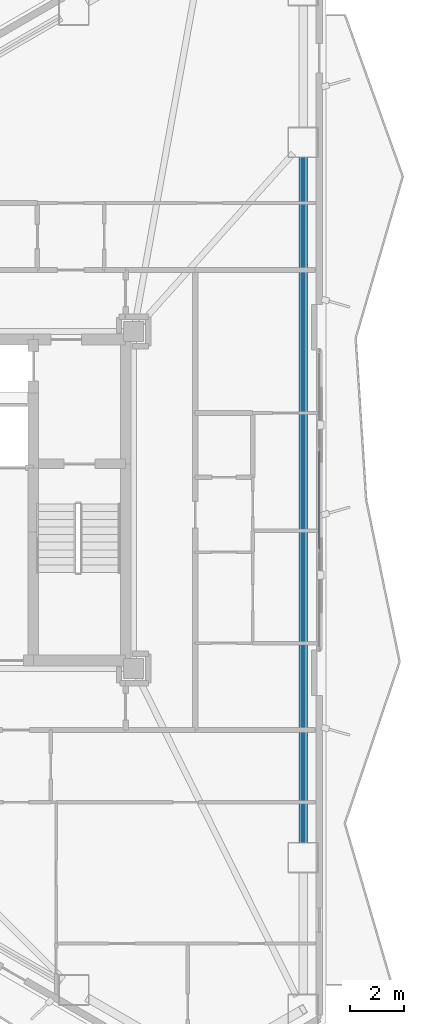
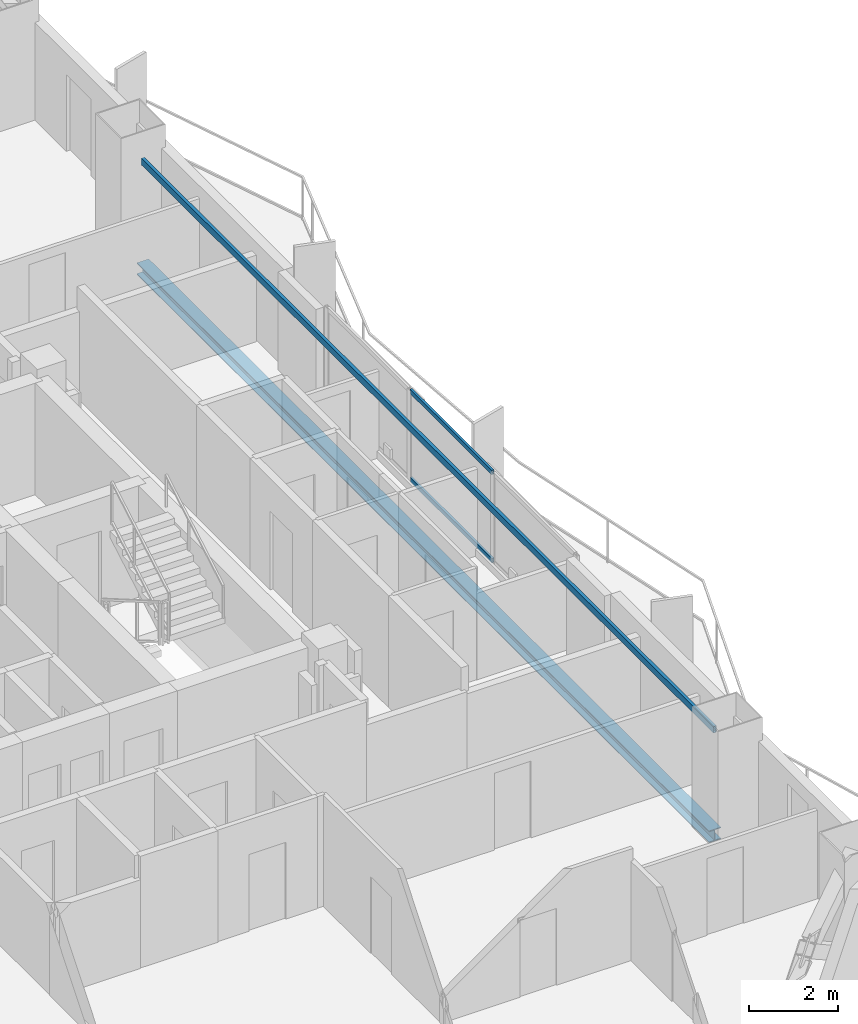
# One storey, part 9 of 22: 2 beams, 2 members, 1 element without a shape of its own.
"""IFC4 building model written with IfcOpenShell, lengths in metres."""

import ifcopenshell
import ifcopenshell.guid

model = None  # the IFC model being written
_history = None  # IfcOwnerHistory: only IFC2X3 demands one
_inside = {}  # id of a spatial element -> (the spatial element, [elements in it])
_under = {}  # id of a project, library or spatial element -> (it, [spatial elements below it])
_declared = {}  # id of a project -> (the project, [libraries it declares])
_typed = {}  # id of a type object -> (the type object, [elements of that type])
_made_of = {}  # id of a material, layer set ... -> (it, [elements and type objects made of it])


def new_model(schema):
    """Start an empty IFC model of exactly this schema.

    Asked for "IFC4X3", IfcOpenShell would pick the latest addendum, in which some entities
    have other attributes; the version numbers below select the first issue.
    IFC2X3 requires an IfcOwnerHistory on every rooted entity: one is made here for all.
    """
    global model, _history
    if schema == "IFC4X3":
        model = ifcopenshell.file(schema_version=(4, 3, 0, 0))
    else:
        model = ifcopenshell.file(schema=schema)
    _inside.clear()
    _under.clear()
    _declared.clear()
    _typed.clear()
    _made_of.clear()
    _history = None
    if model.schema == "IFC2X3":
        org = make("IfcOrganization", Name="unknown")
        user = make(
            "IfcPersonAndOrganization",
            ThePerson=make("IfcPerson", FamilyName="unknown"),
            TheOrganization=org,
        )
        app = make(
            "IfcApplication",
            ApplicationDeveloper=org,
            Version="unknown",
            ApplicationFullName="unknown",
            ApplicationIdentifier="unknown",
        )
        _history = make(
            "IfcOwnerHistory",
            OwningUser=user,
            OwningApplication=app,
            ChangeAction="ADDED",
            CreationDate=0,
        )
    return model


def make(cls, **values):
    """One entity of the class cls with the attributes given. An attribute that is None is left unset."""
    return model.create_entity(
        cls, **{name: value for name, value in values.items() if value is not None}
    )


def rooted(cls, **values):
    """An entity with a GlobalId (a new one), such as an element, a storey or a relation."""
    return make(cls, GlobalId=ifcopenshell.guid.new(), OwnerHistory=_history, **values)


def si_unit(unit_type, name, prefix=None):
    """IfcSIUnit, for example si_unit("LENGTHUNIT", "METRE", prefix="MILLI")."""
    return make("IfcSIUnit", UnitType=unit_type, Prefix=prefix, Name=name)


def assignment(units):
    """IfcUnitAssignment: the units of a project."""
    return None if units is None else make("IfcUnitAssignment", Units=units)


def point(xyz):
    """IfcCartesianPoint."""
    return None if xyz is None else make("IfcCartesianPoint", Coordinates=xyz)


def direction(xyz):
    """IfcDirection."""
    return None if xyz is None else make("IfcDirection", DirectionRatios=xyz)


def frame(location, z_axis=None, x_axis=None):
    """IfcAxis2Placement3D, a coordinate frame: its origin and axes. An axis left out is left unset."""
    return make(
        "IfcAxis2Placement3D",
        Location=point(location),
        Axis=direction(z_axis),
        RefDirection=direction(x_axis),
    )


def frame_2d(location, x_axis=None):
    """IfcAxis2Placement2D, a coordinate frame in the plane: its origin and x axis."""
    return make(
        "IfcAxis2Placement2D", Location=point(location), RefDirection=direction(x_axis)
    )


def origin():
    """The frame at (0, 0, 0) with its axes left unset."""
    return frame((0.0, 0.0, 0.0))


def origin_2d():
    """The frame at (0, 0) in the plane with its x axis left unset."""
    return frame_2d((0.0, 0.0))


def place(relative_to, where):
    """IfcLocalPlacement: puts the frame where relative to a parent placement (None: the world)."""
    return make(
        "IfcLocalPlacement", PlacementRelTo=relative_to, RelativePlacement=where
    )


def context(
    kind, dimensions, precision=None, world=None, true_north=None, identifier=None
):
    """IfcGeometricRepresentationContext, for example the 3D "Model" context."""
    return make(
        "IfcGeometricRepresentationContext",
        ContextIdentifier=identifier,
        ContextType=kind,
        CoordinateSpaceDimension=dimensions,
        Precision=precision,
        WorldCoordinateSystem=world,
        TrueNorth=true_north,
    )


def subcontext(parent, identifier, kind, view, scale=None):
    """IfcGeometricRepresentationSubContext, for example "Body" below "Model"."""
    return make(
        "IfcGeometricRepresentationSubContext",
        ContextIdentifier=identifier,
        ContextType=kind,
        ParentContext=parent,
        TargetScale=scale,
        TargetView=view,
    )


def project(units=None, contexts=None):
    """IfcProject with its units and contexts."""
    return rooted(
        "IfcProject",
        Name="project",
        RepresentationContexts=contexts,
        UnitsInContext=assignment(units),
    )


def spatial(cls, under=None, at=None, **own):
    """A site, building, storey or space (cls), placed at a placement, below another one or the project."""
    s = rooted(cls, ObjectPlacement=at, **own)
    if under is not None:
        _under.setdefault(under.id(), (under, []))[1].append(s)
    return s


def profile(cls, at=None, kind="AREA", **sizes):
    """A parametric profile (cls). Its sizes go by their IFC names, for example OverallWidth=200.0."""
    return make(cls, ProfileType=kind, Position=at, **sizes)


def hollow_rectangle(**sizes):
    """IfcRectangleHollowProfileDef."""
    return profile("IfcRectangleHollowProfileDef", **sizes)


def i_section(**sizes):
    """IfcIShapeProfileDef."""
    return profile("IfcIShapeProfileDef", **sizes)


def extrude(swept, where, along, depth):
    """IfcExtrudedAreaSolid: the profile swept, set in the frame where, extruded along a direction by depth."""
    return make(
        "IfcExtrudedAreaSolid",
        SweptArea=swept,
        Position=where,
        ExtrudedDirection=direction(along),
        Depth=depth,
    )


def shape(context_of_items, identifier, shape_type, items):
    """IfcShapeRepresentation: the items that make up one representation, for example the "Body"."""
    return make(
        "IfcShapeRepresentation",
        ContextOfItems=context_of_items,
        RepresentationIdentifier=identifier,
        RepresentationType=shape_type,
        Items=items,
    )


def material(Name=None, Category=None):
    """IfcMaterial."""
    return make("IfcMaterial", Name=Name, Category=Category)


def layer(
    of_material, thickness, ventilated=None, Name=None, Category=None, Priority=None
):
    """IfcMaterialLayer: one layer of a wall or slab, of a material (None: an air gap)."""
    return make(
        "IfcMaterialLayer",
        Material=of_material,
        LayerThickness=thickness,
        IsVentilated=ventilated,
        Name=Name,
        Category=Category,
        Priority=Priority,
    )


def layer_set(layers, Name=None):
    """IfcMaterialLayerSet."""
    return make("IfcMaterialLayerSet", MaterialLayers=layers, LayerSetName=Name)


def material_profile(
    of_material, cross_section, Name=None, Category=None, Priority=None
):
    """IfcMaterialProfile: a cross section and its material."""
    return make(
        "IfcMaterialProfile",
        Name=Name,
        Material=of_material,
        Profile=cross_section,
        Priority=Priority,
        Category=Category,
    )


def profile_set(profiles, Name=None, composite=None):
    """IfcMaterialProfileSet."""
    return make(
        "IfcMaterialProfileSet",
        Name=Name,
        MaterialProfiles=profiles,
        CompositeProfile=composite,
    )


def made_of(thing, what):
    """Note that an element or type object is made of a material, layer set ...; save() writes the relation."""
    if what is not None:
        _made_of.setdefault(what.id(), (what, []))[1].append(thing)
    return thing


def type_object(cls, material=None, **own):
    """A type object (cls), such as IfcWallType, which elements share."""
    return made_of(rooted(cls, **own), material)


def element(
    cls,
    number,
    at=None,
    inside=None,
    cuts=None,
    type_object=None,
    material=None,
    context=None,
    identifier="Body",
    shape_type=None,
    held_by="IfcProductDefinitionShape",
    body=None,
    shapes=None,
    **own,
):
    """One element of the class cls, such as IfcWall. Its Tag is "e" and its number.

    at: its placement. inside: the storey or other place that contains it. cuts: it is an
    opening in that element (IfcRelVoidsElement). A single representation is given by context,
    identifier, shape_type and body (its items); several are given by shapes. held_by: the class
    of the entity that holds the representations. save() writes the other relations.
    """
    e = rooted(cls, Tag="e%d" % number, ObjectPlacement=at, **own)
    if body is not None:
        shapes = [shape(context, identifier, shape_type, body)]
    if shapes is not None:
        e.Representation = make(held_by, Representations=shapes)
    if inside is not None:
        _inside.setdefault(inside.id(), (inside, []))[1].append(e)
    if cuts is not None:
        rooted(
            "IfcRelVoidsElement", RelatingBuildingElement=cuts, RelatedOpeningElement=e
        )
    if type_object is not None:
        _typed.setdefault(type_object.id(), (type_object, []))[1].append(e)
    return made_of(e, material)


def aggregate(whole, parts):
    """IfcRelAggregates: a whole, such as a stair, and the parts it consists of."""
    return rooted("IfcRelAggregates", RelatingObject=whole, RelatedObjects=parts)


def save(model, path):
    """Write the relations noted so far, then the file.

    IfcRelAggregates (storeys below a building ...), IfcRelContainedInSpatialStructure (elements
    in a storey), IfcRelDefinesByType, IfcRelAssociatesMaterial and IfcRelDeclares: one each for
    every whole, place, type object, material and project.
    """
    for whole, parts in _under.values():
        aggregate(whole, parts)
    for where, things in _inside.values():
        rooted(
            "IfcRelContainedInSpatialStructure",
            RelatedElements=things,
            RelatingStructure=where,
        )
    for kind, things in _typed.values():
        rooted("IfcRelDefinesByType", RelatedObjects=things, RelatingType=kind)
    for what, things in _made_of.values():
        rooted("IfcRelAssociatesMaterial", RelatedObjects=things, RelatingMaterial=what)
    for by, libraries in _declared.values():
        rooted("IfcRelDeclares", RelatingContext=by, RelatedDefinitions=libraries)
    model.write(path)


model = new_model("IFC4")

# Units and contexts
model_context = context("Model", 3, precision=1e-05, world=origin(), true_north=direction((0.0, 1.0)))
body_context = subcontext(model_context, "Body", "Model", "MODEL_VIEW")
ifc_project = project(units=[si_unit("LENGTHUNIT", "METRE"), si_unit("AREAUNIT", "SQUARE_METRE"), si_unit("VOLUMEUNIT", "CUBIC_METRE"), si_unit("PLANEANGLEUNIT", "RADIAN"), si_unit("MASSUNIT", "GRAM", prefix="KILO")], contexts=[model_context])

# Site, building, storey
site_placement = place(None, origin())
site = spatial("IfcSite", under=ifc_project, at=site_placement, CompositionType="ELEMENT")
building_placement = place(site_placement, origin())
building = spatial("IfcBuilding", under=site, at=building_placement, Name="Mersakhor Tower and Convention Hall", CompositionType="ELEMENT")
storey_placement = place(building_placement, frame((0.0, 0.0, 103.199951171875)))
storey = spatial("IfcBuildingStorey", under=building, at=storey_placement, Name="L28", CompositionType="ELEMENT", Elevation=103.199951171875)

# Beams
ifc_material_1 = material(Name="Steel S355", Category="steel")
ifc_material_profile_1 = material_profile(ifc_material_1, hollow_rectangle(XDim=0.080078125, YDim=0.179931640625, WallThickness=0.008056640625, at=origin_2d()), Name="RHS 180x80x8")
ifc_profile_set_1 = profile_set([ifc_material_profile_1], Name="Steel S355")
beam_type_1 = type_object("IfcBeamType", Name="BM-GRT-RHS180", PredefinedType="USERDEFINED", material=ifc_profile_set_1)
beam_1_placement = place(storey_placement, frame((42.4345703125, 39.566650390625, 2.47998046875), z_axis=(0.0, -1.0, 0.0), x_axis=(1.0, 0.0, 0.0)))
element("IfcBeam", 1, at=beam_1_placement, inside=storey, type_object=beam_type_1, Name="L28 Facade Support Girt GRT-F2", ObjectType="GIRT", PredefinedType="USERDEFINED", context=body_context, shape_type="SweptSolid", body=[
    extrude(hollow_rectangle(XDim=0.080078125, YDim=0.179931640625, WallThickness=0.008056640625, at=origin_2d()), origin(), (0.0, 0.0, 1.0), 25.63330078125),
])
ifc_material_2 = material(Name="Steel S355", Category="steel")
ifc_material_profile_2 = material_profile(ifc_material_2, i_section(OverallWidth=0.30908203125, OverallDepth=0.320556640625, WebThickness=0.013916015625, FlangeThickness=0.021728515625, at=origin_2d()), Name="UC 305x305x137")
ifc_profile_set_2 = profile_set([ifc_material_profile_2], Name="Steel S355")
beam_type_2 = type_object("IfcBeamType", Name="BM-SPD-UC305", PredefinedType="SPANDREL", material=ifc_profile_set_2)
beam_2_placement = place(storey_placement, frame((42.4345703125, 39.566650390625, -0.41015625), z_axis=(0.0, -1.0, 0.0), x_axis=(1.0, 0.0, 0.0)))
element("IfcBeam", 2, at=beam_2_placement, inside=storey, type_object=beam_type_2, Name="L28 Perimeter Spandrel Beam SPB-06", PredefinedType="SPANDREL", context=body_context, shape_type="SweptSolid", body=[
    extrude(i_section(OverallWidth=0.30908203125, OverallDepth=0.320556640625, WebThickness=0.013916015625, FlangeThickness=0.021728515625, at=origin_2d()), origin(), (0.0, 0.0, 1.0), 25.63330078125),
])

# Curtain wall, members
ifc_material_3 = material(Name="Dark solar low-E aluminium curtain wall", Category="aluminium")
ifc_layer = layer(ifc_material_3, 0.159912109375)
ifc_layer_set = layer_set([ifc_layer], Name="Dark solar low-E aluminium curtain wall")
curtain_wall_type = type_object("IfcCurtainWallType", Name="CW-SYS-01", PredefinedType="USERDEFINED", material=ifc_layer_set)
curtain_wall_placement = place(storey_placement, origin())
curtain_wall = element("IfcCurtainWall", 3, at=curtain_wall_placement, inside=storey, type_object=curtain_wall_type, Name="L28 Dark-Glass Curtain Wall F2-B2", ObjectType="CURTAIN WALL", PredefinedType="USERDEFINED")
ifc_material_4 = material(Name="Anodised aluminium EN AW-6063 T6", Category="aluminium")
ifc_material_profile_3 = material_profile(ifc_material_4, hollow_rectangle(XDim=0.06005859375, YDim=0.1201171875, WallThickness=0.0048828125, at=origin_2d()), Name="RHS 120x60x5")
ifc_profile_set_3 = profile_set([ifc_material_profile_3], Name="Anodised aluminium EN AW-6063 T6")
member_type = type_object("IfcMemberType", Name="CWT-120x60", PredefinedType="USERDEFINED", material=ifc_profile_set_3)
member_1_placement = place(storey_placement, frame((43.03466796875, 28.583984375, 0.22998046875), z_axis=(0.0, -1.0, 0.0), x_axis=(1.0, 0.0, 0.0)))
member_1 = element("IfcMember", 4, at=member_1_placement, type_object=member_type, Name="CW-01 transom 2.1", ObjectType="TRANSOM", PredefinedType="USERDEFINED", context=body_context, shape_type="SweptSolid", body=[
    extrude(hollow_rectangle(XDim=0.06005859375, YDim=0.1201171875, WallThickness=0.0048828125, at=origin_2d()), origin(), (0.0, 0.0, 1.0), 3.66796875),
])
member_2_placement = place(storey_placement, frame((43.03466796875, 28.583984375, 2.64013671875), z_axis=(0.0, -1.0, 0.0), x_axis=(1.0, 0.0, 0.0)))
member_2 = element("IfcMember", 5, at=member_2_placement, type_object=member_type, Name="CW-01 transom 2.2", ObjectType="TRANSOM", PredefinedType="USERDEFINED", context=body_context, shape_type="SweptSolid", body=[
    extrude(hollow_rectangle(XDim=0.06005859375, YDim=0.1201171875, WallThickness=0.0048828125, at=origin_2d()), origin(), (0.0, 0.0, 1.0), 3.66796875),
])
aggregate(curtain_wall, [member_1, member_2])

save(model, "model.ifc")
